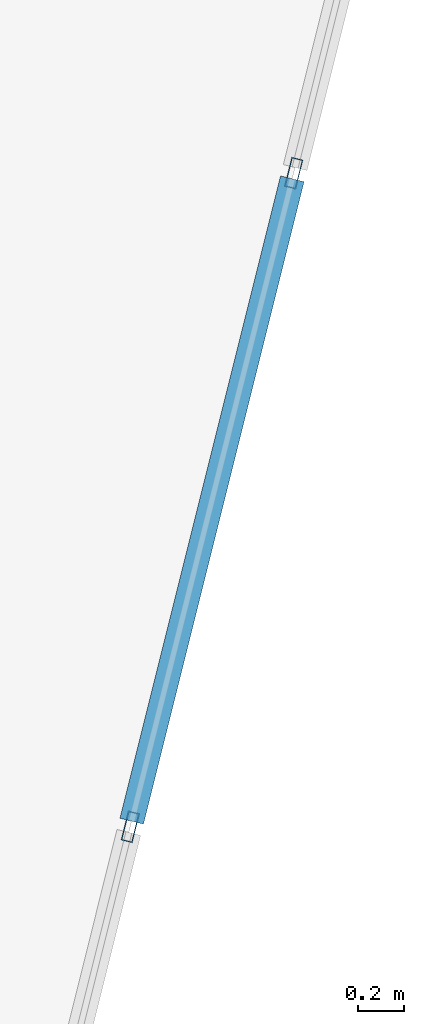
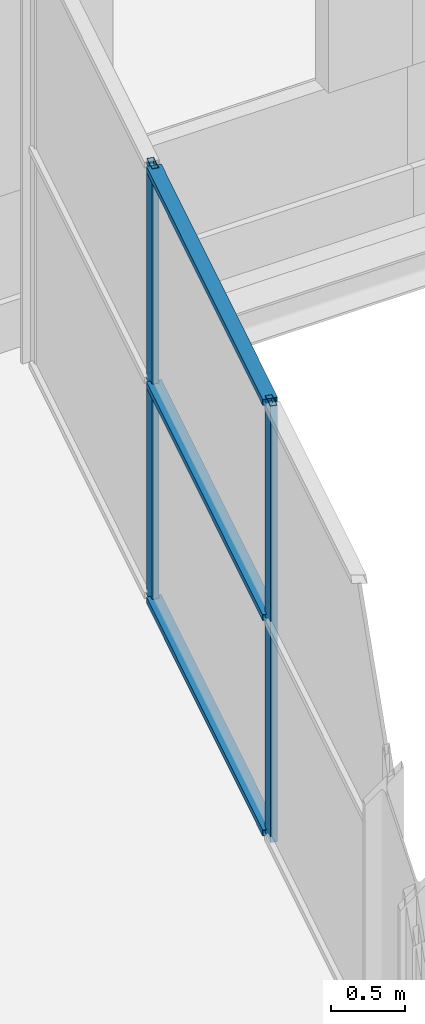
# One storey, part 67 of 135: 5 members, 1 element without a shape of its own.
"""IFC4 building model written with IfcOpenShell, lengths in metres."""

from ifc_helpers import new_model, si_unit, direction, frame, origin, origin_2d, place, context, subcontext, project, spatial, hollow_rectangle, extrude, material, layer, layer_set, material_profile, profile_set, type_object, element, aggregate, save


model = new_model("IFC4")

# Units and contexts
model_context = context("Model", 3, precision=1e-05, world=origin(), true_north=direction((0.0, 1.0)))
body_context = subcontext(model_context, "Body", "Model", "MODEL_VIEW")
ifc_project = project(units=[si_unit("LENGTHUNIT", "METRE"), si_unit("AREAUNIT", "SQUARE_METRE"), si_unit("VOLUMEUNIT", "CUBIC_METRE"), si_unit("PLANEANGLEUNIT", "RADIAN"), si_unit("MASSUNIT", "GRAM", prefix="KILO")], contexts=[model_context])

# Site, building, storey
site_placement = place(None, origin())
site = spatial("IfcSite", under=ifc_project, at=site_placement, CompositionType="ELEMENT")
building_placement = place(site_placement, origin())
building = spatial("IfcBuilding", under=site, at=building_placement, Name="Deido Ridge Mobility Hub", CompositionType="ELEMENT")
storey_placement = place(building_placement, frame((0.0, 0.0, 4.199951171875)))
storey = spatial("IfcBuildingStorey", under=building, at=storey_placement, Name="L01", CompositionType="ELEMENT", Elevation=4.199951171875)

# Curtain wall, members
ifc_material = material(Name="Anodised aluminium EN AW-6063 T6", Category="aluminium")
ifc_layer = layer(ifc_material, 0.27001953125, Name="Anodised aluminium EN AW-6063 T6")
ifc_layer_set = layer_set([ifc_layer], Name="Anodised aluminium EN AW-6063 T6")
curtain_wall_type = type_object("IfcCurtainWallType", Name="CW-UF-8", PredefinedType="USERDEFINED", material=ifc_layer_set)
curtain_wall_placement = place(storey_placement, origin())
curtain_wall = element("IfcCurtainWall", 1, at=curtain_wall_placement, inside=storey, type_object=curtain_wall_type, Name="Unitised curtain wall CW8", ObjectType="UNITISED FACADE", PredefinedType="USERDEFINED")
ifc_material_profile_1 = material_profile(ifc_material, hollow_rectangle(XDim=0.050048828125, YDim=0.1298828125, WallThickness=0.00390625, at=origin_2d()), Name="RHS 50x130x4")
ifc_profile_set_1 = profile_set([ifc_material_profile_1], Name="Anodised aluminium EN AW-6063 T6")
member_type_1 = type_object("IfcMemberType", Name="MEM-MUL-50X130", PredefinedType="MULLION", material=ifc_profile_set_1)
member_1_placement = place(storey_placement, frame((52.5224609375, 75.090087890625, 0.0), z_axis=(0.0, 0.0, 1.0), x_axis=(-0.970139801497, 0.242546419373, 0.0)))
member_1 = element("IfcMember", 2, at=member_1_placement, type_object=member_type_1, Name="CW8 mullion 2", PredefinedType="MULLION", context=body_context, shape_type="SweptSolid", body=[
    extrude(hollow_rectangle(XDim=0.050048828125, YDim=0.1298828125, WallThickness=0.00390625, at=origin_2d()), origin(), (0.0, 0.0, 1.0), 3.60009765625),
])
member_2_placement = place(storey_placement, frame((53.2275390625, 77.909912109375, 0.0), z_axis=(0.0, 0.0, 1.0), x_axis=(-0.970139801497, 0.242546419373, 0.0)))
member_2 = element("IfcMember", 3, at=member_2_placement, type_object=member_type_1, Name="CW8 mullion 3", PredefinedType="MULLION", context=body_context, shape_type="SweptSolid", body=[
    extrude(hollow_rectangle(XDim=0.050048828125, YDim=0.1298828125, WallThickness=0.00390625, at=origin_2d()), origin(), (0.0, 0.0, 1.0), 3.60009765625),
])
ifc_material_profile_2 = material_profile(ifc_material, hollow_rectangle(XDim=0.10498046875, YDim=0.050048828125, WallThickness=0.00390625, at=origin_2d()), Name="RHS 105x50x4")
ifc_profile_set_2 = profile_set([ifc_material_profile_2], Name="Anodised aluminium EN AW-6063 T6")
member_type_2 = type_object("IfcMemberType", Name="MEM-TRN-105X50", PredefinedType="USERDEFINED", material=ifc_profile_set_2)
member_3_placement = place(storey_placement, frame((52.528564453125, 75.114501953125, 0.025146484375), z_axis=(0.242575847992, 0.97013244352, 0.0), x_axis=(-0.97013244352, 0.242575847992, 0.0)))
member_3 = element("IfcMember", 4, at=member_3_placement, type_object=member_type_2, Name="CW8 transom 2.1", ObjectType="TRANSOM", PredefinedType="USERDEFINED", context=body_context, shape_type="SweptSolid", body=[
    extrude(hollow_rectangle(XDim=0.10498046875, YDim=0.050048828125, WallThickness=0.00390625, at=origin_2d()), origin(), (0.0, 0.0, 1.0), 2.856201171875),
])
member_4_placement = place(storey_placement, frame((52.528564453125, 75.114501953125, 1.800048828125), z_axis=(0.242575847992, 0.97013244352, 0.0), x_axis=(-0.97013244352, 0.242575847992, 0.0)))
member_4 = element("IfcMember", 5, at=member_4_placement, type_object=member_type_2, Name="CW8 transom 2.2", ObjectType="TRANSOM", PredefinedType="USERDEFINED", context=body_context, shape_type="SweptSolid", body=[
    extrude(hollow_rectangle(XDim=0.10498046875, YDim=0.050048828125, WallThickness=0.00390625, at=origin_2d()), origin(), (0.0, 0.0, 1.0), 2.856201171875),
])
member_5_placement = place(storey_placement, frame((52.528564453125, 75.114501953125, 3.574951171875), z_axis=(0.242575847992, 0.97013244352, 0.0), x_axis=(-0.97013244352, 0.242575847992, 0.0)))
member_5 = element("IfcMember", 6, at=member_5_placement, type_object=member_type_2, Name="CW8 transom 2.3", ObjectType="TRANSOM", PredefinedType="USERDEFINED", context=body_context, shape_type="SweptSolid", body=[
    extrude(hollow_rectangle(XDim=0.10498046875, YDim=0.050048828125, WallThickness=0.00390625, at=origin_2d()), origin(), (0.0, 0.0, 1.0), 2.856201171875),
])
aggregate(curtain_wall, [member_1, member_2, member_3, member_4, member_5])

save(model, "model.ifc")
